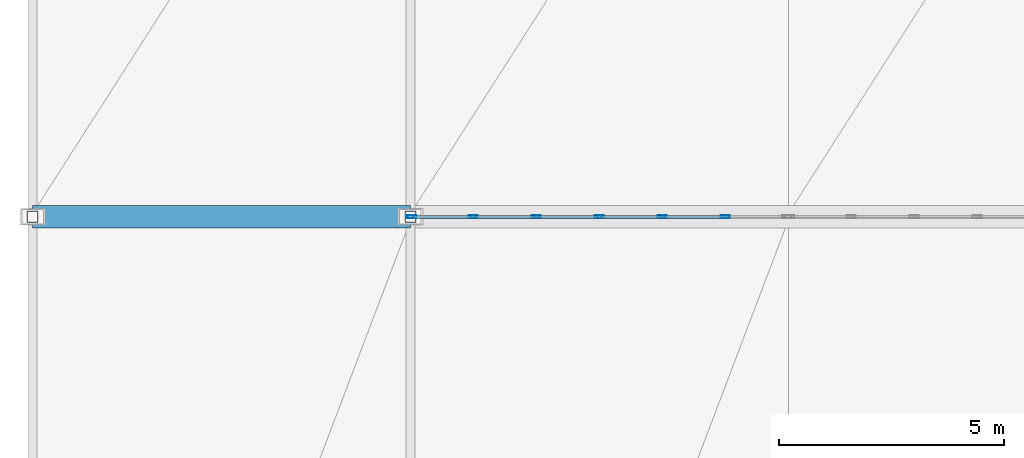
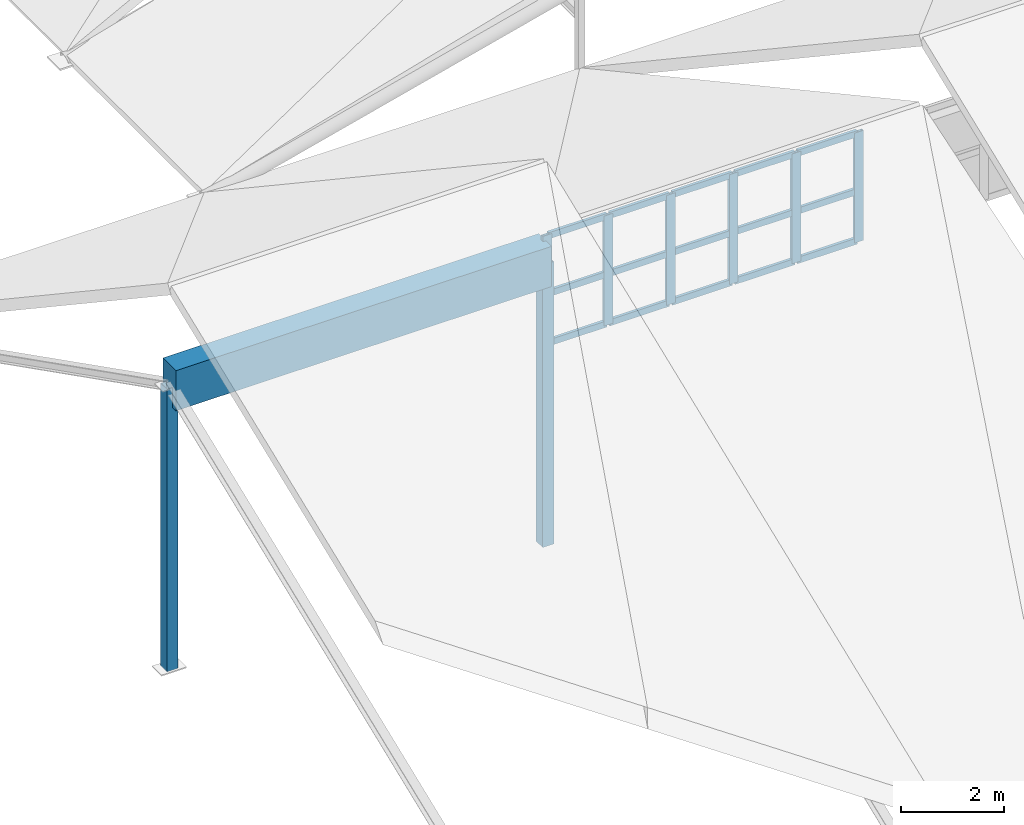
# One storey, part 5 of 76: 23 members, 1 beam, 1 element without a shape of its own.
"""IFC4 building model written with IfcOpenShell, lengths in metres."""

from ifc_helpers import new_model, si_unit, direction, frame, origin, origin_2d, place, context, subcontext, project, spatial, rectangle, hollow_rectangle, extrude, material, layer, layer_set, material_profile, profile_set, type_object, element, aggregate, save


model = new_model("IFC4")

# Units and contexts
model_context = context("Model", 3, precision=1e-05, world=origin(), true_north=direction((0.0, 1.0)))
body_context = subcontext(model_context, "Body", "Model", "MODEL_VIEW")
ifc_project = project(units=[si_unit("LENGTHUNIT", "METRE"), si_unit("AREAUNIT", "SQUARE_METRE"), si_unit("VOLUMEUNIT", "CUBIC_METRE"), si_unit("PLANEANGLEUNIT", "RADIAN"), si_unit("MASSUNIT", "GRAM", prefix="KILO")], contexts=[model_context])

# Site, building, storey
site_placement = place(None, origin())
site = spatial("IfcSite", under=ifc_project, at=site_placement, CompositionType="ELEMENT")
building_placement = place(site_placement, origin())
building = spatial("IfcBuilding", under=site, at=building_placement, Name="Krzemoval Escarpment Law Courts", CompositionType="ELEMENT")
storey_placement = place(building_placement, frame((0.0, 0.0, 20.39990234375)))
storey = spatial("IfcBuildingStorey", under=building, at=storey_placement, Name="L04", CompositionType="ELEMENT", Elevation=20.39990234375)

# Beam
ifc_material_1 = material(Name="Concrete C50/60", Category="concrete")
ifc_material_profile_1 = material_profile(ifc_material_1, rectangle(XDim=0.5, YDim=0.949951171875, at=origin_2d()), Name="FPR 500x950")
ifc_profile_set_1 = profile_set([ifc_material_profile_1], Name="Concrete C50/60")
beam_type = type_object("IfcBeamType", Name="BM-FPR-500x950", PredefinedType="BEAM", material=ifc_profile_set_1)
beam_placement = place(storey_placement, frame((0.0, 22.199951171875, 6.400146484375), z_axis=(1.0, 0.0, 0.0), x_axis=(0.0, 1.0, 0.0)))
element("IfcBeam", 1, at=beam_placement, inside=storey, type_object=beam_type, Name="Folded Roof Ridge Beam RB-2825", PredefinedType="BEAM", context=body_context, shape_type="SweptSolid", body=[
    extrude(rectangle(XDim=0.5, YDim=0.949951171875, at=origin_2d()), origin(), (0.0, 0.0, 1.0), 8.39990234375),
])

# Curtain wall, members
ifc_material_2 = material(Name="Aluminium 6063-T6", Category="aluminium")
ifc_layer = layer(ifc_material_2, 0.199951171875)
ifc_layer_set = layer_set([ifc_layer], Name="Aluminium 6063-T6")
curtain_wall_type = type_object("IfcCurtainWallType", Name="CW-CLER-2800", PredefinedType="USERDEFINED", material=ifc_layer_set)
curtain_wall_placement = place(storey_placement, origin())
curtain_wall = element("IfcCurtainWall", 2, at=curtain_wall_placement, inside=storey, type_object=curtain_wall_type, Name="Clerestory Curtain Wall CW-CLER-V1-01", ObjectType="UNITISED_CURTAIN_WALL", PredefinedType="USERDEFINED")
ifc_material_3 = material(Name="Aluminium 6063-T6", Category="aluminium")
ifc_material_profile_2 = material_profile(ifc_material_3, hollow_rectangle(XDim=0.06494140625, YDim=0.199951171875, WallThickness=0.00439453125, at=origin_2d()), Name="ALU M65x200")
ifc_profile_set_2 = profile_set([ifc_material_profile_2], Name="Aluminium 6063-T6")
member_type_1 = type_object("IfcMemberType", Name="CWM-65x200", PredefinedType="MULLION", material=ifc_profile_set_2)
member_1_placement = place(storey_placement, frame((8.4326171875, 22.199951171875, 4.400146484375), z_axis=(0.0, 0.0, 1.0), x_axis=(0.0, 1.0, 0.0)))
member_1 = element("IfcMember", 3, at=member_1_placement, type_object=member_type_1, Name="CW-CLER-V1-01 mullion 1", PredefinedType="MULLION", context=body_context, shape_type="SweptSolid", body=[
    extrude(hollow_rectangle(XDim=0.06494140625, YDim=0.199951171875, WallThickness=0.00439453125, at=origin_2d()), origin(), (0.0, 0.0, 1.0), 2.599853515625),
])
member_2_placement = place(storey_placement, frame((9.800048828125, 22.199951171875, 4.400146484375), z_axis=(0.0, 0.0, 1.0), x_axis=(0.0, 1.0, 0.0)))
member_2 = element("IfcMember", 4, at=member_2_placement, type_object=member_type_1, Name="CW-CLER-V1-01 mullion 2", PredefinedType="MULLION", context=body_context, shape_type="SweptSolid", body=[
    extrude(hollow_rectangle(XDim=0.06494140625, YDim=0.199951171875, WallThickness=0.00439453125, at=origin_2d()), origin(), (0.0, 0.0, 1.0), 2.599853515625),
])
member_3_placement = place(storey_placement, frame((11.199951171875, 22.199951171875, 4.400146484375), z_axis=(0.0, 0.0, 1.0), x_axis=(0.0, 1.0, 0.0)))
member_3 = element("IfcMember", 5, at=member_3_placement, type_object=member_type_1, Name="CW-CLER-V1-01 mullion 3", PredefinedType="MULLION", context=body_context, shape_type="SweptSolid", body=[
    extrude(hollow_rectangle(XDim=0.06494140625, YDim=0.199951171875, WallThickness=0.00439453125, at=origin_2d()), origin(), (0.0, 0.0, 1.0), 2.599853515625),
])
member_4_placement = place(storey_placement, frame((12.60009765625, 22.199951171875, 4.400146484375), z_axis=(0.0, 0.0, 1.0), x_axis=(0.0, 1.0, 0.0)))
member_4 = element("IfcMember", 6, at=member_4_placement, type_object=member_type_1, Name="CW-CLER-V1-01 mullion 4", PredefinedType="MULLION", context=body_context, shape_type="SweptSolid", body=[
    extrude(hollow_rectangle(XDim=0.06494140625, YDim=0.199951171875, WallThickness=0.00439453125, at=origin_2d()), origin(), (0.0, 0.0, 1.0), 2.599853515625),
])
member_5_placement = place(storey_placement, frame((14.0, 22.199951171875, 4.400146484375), z_axis=(0.0, 0.0, 1.0), x_axis=(0.0, 1.0, 0.0)))
member_5 = element("IfcMember", 7, at=member_5_placement, type_object=member_type_1, Name="CW-CLER-V1-01 mullion 5", PredefinedType="MULLION", context=body_context, shape_type="SweptSolid", body=[
    extrude(hollow_rectangle(XDim=0.06494140625, YDim=0.199951171875, WallThickness=0.00439453125, at=origin_2d()), origin(), (0.0, 0.0, 1.0), 2.599853515625),
])
member_6_placement = place(storey_placement, frame((15.39990234375, 22.199951171875, 4.400146484375), z_axis=(0.0, 0.0, 1.0), x_axis=(0.0, 1.0, 0.0)))
member_6 = element("IfcMember", 8, at=member_6_placement, type_object=member_type_1, Name="CW-CLER-V1-01 mullion 6", PredefinedType="MULLION", context=body_context, shape_type="SweptSolid", body=[
    extrude(hollow_rectangle(XDim=0.06494140625, YDim=0.199951171875, WallThickness=0.00439453125, at=origin_2d()), origin(), (0.0, 0.0, 1.0), 2.599853515625),
])
ifc_material_4 = material(Name="Aluminium 6063-T6", Category="aluminium")
ifc_material_profile_3 = material_profile(ifc_material_4, hollow_rectangle(XDim=0.06494140625, YDim=0.14990234375, WallThickness=0.00439453125, at=origin_2d()), Name="ALU T65x150")
ifc_profile_set_3 = profile_set([ifc_material_profile_3], Name="Aluminium 6063-T6")
member_type_2 = type_object("IfcMemberType", Name="CWT-65x150", PredefinedType="USERDEFINED", material=ifc_profile_set_3)
member_7_placement = place(storey_placement, frame((8.465087890625, 22.199951171875, 4.4326171875), z_axis=(1.0, 0.0, 0.0), x_axis=(0.0, 1.0, 0.0)))
member_7 = element("IfcMember", 9, at=member_7_placement, type_object=member_type_2, Name="CW-CLER-V1-01 transom 1.1", ObjectType="TRANSOM", PredefinedType="USERDEFINED", context=body_context, shape_type="SweptSolid", body=[
    extrude(hollow_rectangle(XDim=0.06494140625, YDim=0.14990234375, WallThickness=0.00439453125, at=origin_2d()), origin(), (0.0, 0.0, 1.0), 1.302490234375),
])
member_8_placement = place(storey_placement, frame((8.465087890625, 22.199951171875, 5.60009765625), z_axis=(1.0, 0.0, 0.0), x_axis=(0.0, 1.0, 0.0)))
member_8 = element("IfcMember", 10, at=member_8_placement, type_object=member_type_2, Name="CW-CLER-V1-01 transom 1.2", ObjectType="TRANSOM", PredefinedType="USERDEFINED", context=body_context, shape_type="SweptSolid", body=[
    extrude(hollow_rectangle(XDim=0.06494140625, YDim=0.14990234375, WallThickness=0.00439453125, at=origin_2d()), origin(), (0.0, 0.0, 1.0), 1.302490234375),
])
member_9_placement = place(storey_placement, frame((8.465087890625, 22.199951171875, 6.967529296875), z_axis=(1.0, 0.0, 0.0), x_axis=(0.0, 1.0, 0.0)))
member_9 = element("IfcMember", 11, at=member_9_placement, type_object=member_type_2, Name="CW-CLER-V1-01 transom 1.3", ObjectType="TRANSOM", PredefinedType="USERDEFINED", context=body_context, shape_type="SweptSolid", body=[
    extrude(hollow_rectangle(XDim=0.06494140625, YDim=0.14990234375, WallThickness=0.00439453125, at=origin_2d()), origin(), (0.0, 0.0, 1.0), 1.302490234375),
])
member_10_placement = place(storey_placement, frame((9.83251953125, 22.199951171875, 4.4326171875), z_axis=(1.0, 0.0, 0.0), x_axis=(0.0, 1.0, 0.0)))
member_10 = element("IfcMember", 12, at=member_10_placement, type_object=member_type_2, Name="CW-CLER-V1-01 transom 2.1", ObjectType="TRANSOM", PredefinedType="USERDEFINED", context=body_context, shape_type="SweptSolid", body=[
    extrude(hollow_rectangle(XDim=0.06494140625, YDim=0.14990234375, WallThickness=0.00439453125, at=origin_2d()), origin(), (0.0, 0.0, 1.0), 1.3349609375),
])
member_11_placement = place(storey_placement, frame((9.83251953125, 22.199951171875, 5.60009765625), z_axis=(1.0, 0.0, 0.0), x_axis=(0.0, 1.0, 0.0)))
member_11 = element("IfcMember", 13, at=member_11_placement, type_object=member_type_2, Name="CW-CLER-V1-01 transom 2.2", ObjectType="TRANSOM", PredefinedType="USERDEFINED", context=body_context, shape_type="SweptSolid", body=[
    extrude(hollow_rectangle(XDim=0.06494140625, YDim=0.14990234375, WallThickness=0.00439453125, at=origin_2d()), origin(), (0.0, 0.0, 1.0), 1.3349609375),
])
member_12_placement = place(storey_placement, frame((9.83251953125, 22.199951171875, 6.967529296875), z_axis=(1.0, 0.0, 0.0), x_axis=(0.0, 1.0, 0.0)))
member_12 = element("IfcMember", 14, at=member_12_placement, type_object=member_type_2, Name="CW-CLER-V1-01 transom 2.3", ObjectType="TRANSOM", PredefinedType="USERDEFINED", context=body_context, shape_type="SweptSolid", body=[
    extrude(hollow_rectangle(XDim=0.06494140625, YDim=0.14990234375, WallThickness=0.00439453125, at=origin_2d()), origin(), (0.0, 0.0, 1.0), 1.3349609375),
])
member_13_placement = place(storey_placement, frame((11.232421875, 22.199951171875, 4.4326171875), z_axis=(1.0, 0.0, 0.0), x_axis=(0.0, 1.0, 0.0)))
member_13 = element("IfcMember", 15, at=member_13_placement, type_object=member_type_2, Name="CW-CLER-V1-01 transom 3.1", ObjectType="TRANSOM", PredefinedType="USERDEFINED", context=body_context, shape_type="SweptSolid", body=[
    extrude(hollow_rectangle(XDim=0.06494140625, YDim=0.14990234375, WallThickness=0.00439453125, at=origin_2d()), origin(), (0.0, 0.0, 1.0), 1.3349609375),
])
member_14_placement = place(storey_placement, frame((11.232421875, 22.199951171875, 5.60009765625), z_axis=(1.0, 0.0, 0.0), x_axis=(0.0, 1.0, 0.0)))
member_14 = element("IfcMember", 16, at=member_14_placement, type_object=member_type_2, Name="CW-CLER-V1-01 transom 3.2", ObjectType="TRANSOM", PredefinedType="USERDEFINED", context=body_context, shape_type="SweptSolid", body=[
    extrude(hollow_rectangle(XDim=0.06494140625, YDim=0.14990234375, WallThickness=0.00439453125, at=origin_2d()), origin(), (0.0, 0.0, 1.0), 1.3349609375),
])
member_15_placement = place(storey_placement, frame((11.232421875, 22.199951171875, 6.967529296875), z_axis=(1.0, 0.0, 0.0), x_axis=(0.0, 1.0, 0.0)))
member_15 = element("IfcMember", 17, at=member_15_placement, type_object=member_type_2, Name="CW-CLER-V1-01 transom 3.3", ObjectType="TRANSOM", PredefinedType="USERDEFINED", context=body_context, shape_type="SweptSolid", body=[
    extrude(hollow_rectangle(XDim=0.06494140625, YDim=0.14990234375, WallThickness=0.00439453125, at=origin_2d()), origin(), (0.0, 0.0, 1.0), 1.3349609375),
])
member_16_placement = place(storey_placement, frame((12.632568359375, 22.199951171875, 4.4326171875), z_axis=(1.0, 0.0, 0.0), x_axis=(0.0, 1.0, 0.0)))
member_16 = element("IfcMember", 18, at=member_16_placement, type_object=member_type_2, Name="CW-CLER-V1-01 transom 4.1", ObjectType="TRANSOM", PredefinedType="USERDEFINED", context=body_context, shape_type="SweptSolid", body=[
    extrude(hollow_rectangle(XDim=0.06494140625, YDim=0.14990234375, WallThickness=0.00439453125, at=origin_2d()), origin(), (0.0, 0.0, 1.0), 1.3349609375),
])
member_17_placement = place(storey_placement, frame((12.632568359375, 22.199951171875, 5.60009765625), z_axis=(1.0, 0.0, 0.0), x_axis=(0.0, 1.0, 0.0)))
member_17 = element("IfcMember", 19, at=member_17_placement, type_object=member_type_2, Name="CW-CLER-V1-01 transom 4.2", ObjectType="TRANSOM", PredefinedType="USERDEFINED", context=body_context, shape_type="SweptSolid", body=[
    extrude(hollow_rectangle(XDim=0.06494140625, YDim=0.14990234375, WallThickness=0.00439453125, at=origin_2d()), origin(), (0.0, 0.0, 1.0), 1.3349609375),
])
member_18_placement = place(storey_placement, frame((12.632568359375, 22.199951171875, 6.967529296875), z_axis=(1.0, 0.0, 0.0), x_axis=(0.0, 1.0, 0.0)))
member_18 = element("IfcMember", 20, at=member_18_placement, type_object=member_type_2, Name="CW-CLER-V1-01 transom 4.3", ObjectType="TRANSOM", PredefinedType="USERDEFINED", context=body_context, shape_type="SweptSolid", body=[
    extrude(hollow_rectangle(XDim=0.06494140625, YDim=0.14990234375, WallThickness=0.00439453125, at=origin_2d()), origin(), (0.0, 0.0, 1.0), 1.3349609375),
])
member_19_placement = place(storey_placement, frame((14.032470703125, 22.199951171875, 4.4326171875), z_axis=(1.0, 0.0, 0.0), x_axis=(0.0, 1.0, 0.0)))
member_19 = element("IfcMember", 21, at=member_19_placement, type_object=member_type_2, Name="CW-CLER-V1-01 transom 5.1", ObjectType="TRANSOM", PredefinedType="USERDEFINED", context=body_context, shape_type="SweptSolid", body=[
    extrude(hollow_rectangle(XDim=0.06494140625, YDim=0.14990234375, WallThickness=0.00439453125, at=origin_2d()), origin(), (0.0, 0.0, 1.0), 1.3349609375),
])
member_20_placement = place(storey_placement, frame((14.032470703125, 22.199951171875, 5.60009765625), z_axis=(1.0, 0.0, 0.0), x_axis=(0.0, 1.0, 0.0)))
member_20 = element("IfcMember", 22, at=member_20_placement, type_object=member_type_2, Name="CW-CLER-V1-01 transom 5.2", ObjectType="TRANSOM", PredefinedType="USERDEFINED", context=body_context, shape_type="SweptSolid", body=[
    extrude(hollow_rectangle(XDim=0.06494140625, YDim=0.14990234375, WallThickness=0.00439453125, at=origin_2d()), origin(), (0.0, 0.0, 1.0), 1.3349609375),
])
member_21_placement = place(storey_placement, frame((14.032470703125, 22.199951171875, 6.967529296875), z_axis=(1.0, 0.0, 0.0), x_axis=(0.0, 1.0, 0.0)))
member_21 = element("IfcMember", 23, at=member_21_placement, type_object=member_type_2, Name="CW-CLER-V1-01 transom 5.3", ObjectType="TRANSOM", PredefinedType="USERDEFINED", context=body_context, shape_type="SweptSolid", body=[
    extrude(hollow_rectangle(XDim=0.06494140625, YDim=0.14990234375, WallThickness=0.00439453125, at=origin_2d()), origin(), (0.0, 0.0, 1.0), 1.3349609375),
])
aggregate(curtain_wall, [member_1, member_2, member_3, member_4, member_5, member_6, member_7, member_8, member_9, member_10, member_11, member_12, member_13, member_14, member_15, member_16, member_17, member_18, member_19, member_20, member_21])

# Members
ifc_material_5 = material(Name="Steel S355", Category="steel")
ifc_material_profile_4 = material_profile(ifc_material_5, hollow_rectangle(XDim=0.25, YDim=0.25, WallThickness=0.012451171875, at=origin_2d()), Name="SHS 250x250x12.5")
ifc_profile_set_4 = profile_set([ifc_material_profile_4], Name="Steel S355")
member_type_3 = type_object("IfcMemberType", Name="MBR-STR-SHS250", PredefinedType="STRUT", material=ifc_profile_set_4)
for number, where, z_axis, x_axis, name in (
    (24, (0.0, 22.199951171875, -0.27978515625), (0.0, 0.0, 1.0), (1.0, 0.0, 0.0), "Plenary Ridge King Strut V1-RST-0"),
    (25, (8.39990234375, 22.199951171875, -0.27978515625), (0.0, 0.0, 1.0), (1.0, 0.0, 0.0), "Plenary Ridge King Strut V1-RST-84"),
):
    element("IfcMember", number, at=place(storey_placement, frame(where, z_axis=z_axis, x_axis=x_axis)), inside=storey, type_object=member_type_3, Name=name, PredefinedType="STRUT", context=body_context, shape_type="SweptSolid", body=[
        extrude(hollow_rectangle(XDim=0.25, YDim=0.25, WallThickness=0.012451171875, at=origin_2d()), origin(), (0.0, 0.0, 1.0), 6.679931640625),
    ])

save(model, "model.ifc")
